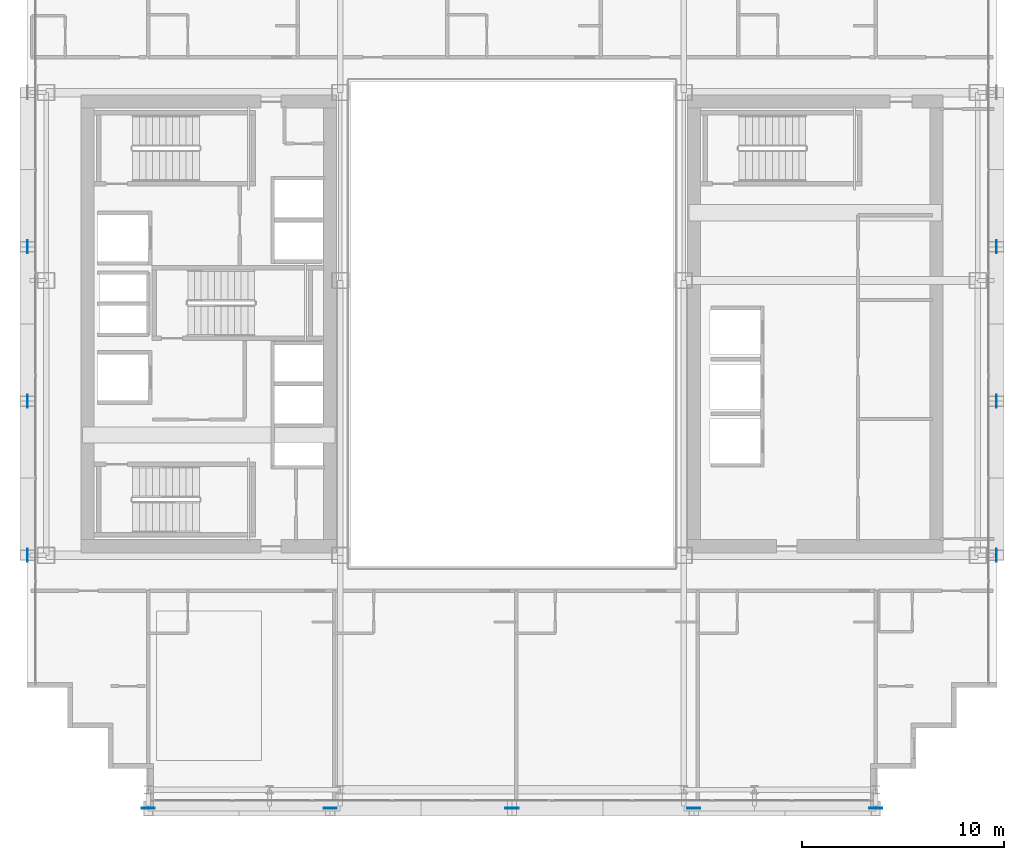
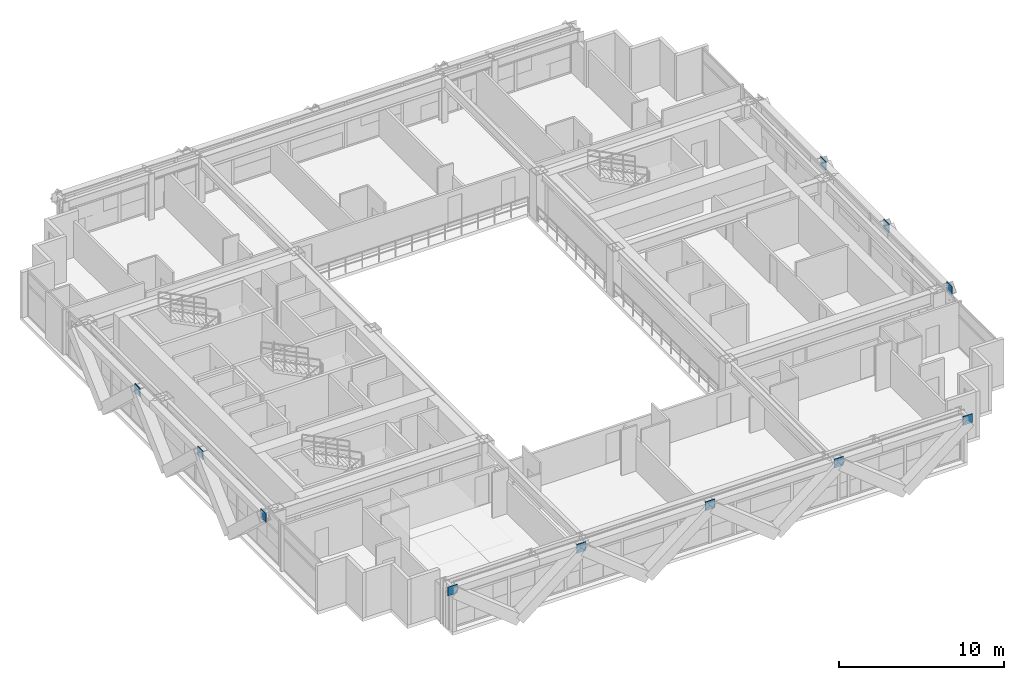
# One storey, part 25 of 35: 11 plates.
"""IFC4 building model written with IfcOpenShell, lengths in metres."""

from ifc_helpers import new_model, si_unit, direction, frame, origin, origin_2d, place, context, subcontext, project, spatial, rectangle, extrude, source, transform, mapped, material, layer, layer_set, type_object, element, save


model = new_model("IFC4")

# Units and contexts
model_context = context("Model", 3, precision=1e-05, world=origin(), true_north=direction((0.0, 1.0)))
body_context = subcontext(model_context, "Body", "Model", "MODEL_VIEW")
ifc_project = project(units=[si_unit("LENGTHUNIT", "METRE"), si_unit("AREAUNIT", "SQUARE_METRE"), si_unit("VOLUMEUNIT", "CUBIC_METRE"), si_unit("PLANEANGLEUNIT", "RADIAN"), si_unit("MASSUNIT", "GRAM", prefix="KILO")], contexts=[model_context])

# Site, building, storey
site_placement = place(None, origin())
site = spatial("IfcSite", under=ifc_project, at=site_placement, CompositionType="ELEMENT")
building_placement = place(site_placement, origin())
building = spatial("IfcBuilding", under=site, at=building_placement, Name="Ocotamira Hotel", CompositionType="ELEMENT")
storey_placement = place(building_placement, frame((0.0, 0.0, 115.199951171875)))
storey = spatial("IfcBuildingStorey", under=building, at=storey_placement, Name="L28", CompositionType="ELEMENT", Elevation=115.199951171875)

# Plates
ifc_material = material(Name="Pale-metal coated steel ASTM A572 Grade 50", Category="steel")
ifc_layer = layer(ifc_material, 0.0400390625)
ifc_layer_set = layer_set([ifc_layer], Name="Pale-metal coated steel ASTM A572 Grade 50")
plate_type = type_object("IfcPlateType", Name="PLT-GUSSET-40", PredefinedType="SHEET", material=ifc_layer_set)
shared_shape_1 = source(origin(), body_context, "Body", "SweptSolid", [
    extrude(rectangle(XDim=0.64990234375, YDim=0.0400390625, at=origin_2d()), origin(), (0.0, 0.0, 1.0), 0.64990234375),
])
for number, where, z_axis, x_axis, name in (
    (1, (14.0, 2.030029296875, 2.78515625), (0.0, 0.0, 1.0), (-1.0, 0.0, 0.0), "L28 Exoskeleton Diagrid S0.1 End Gusset B"),
    (2, (23.0, 2.030029296875, 2.78515625), (0.0, 0.0, 1.0), (1.0, 0.0, 0.0), "L28 Exoskeleton Diagrid S0.2 End Gusset B"),
    (3, (32.0, 2.030029296875, 2.78515625), (0.0, 0.0, 1.0), (1.0, 0.0, 0.0), "L28 Exoskeleton Diagrid S1.2 End Gusset B"),
    (4, (41.0, 2.030029296875, 2.78515625), (0.0, 0.0, 1.0), (1.0, 0.0, 0.0), "L28 Exoskeleton Diagrid S2.2 End Gusset B"),
    (5, (50.0, 2.030029296875, 2.78515625), (0.0, 0.0, 1.0), (1.0, 0.0, 0.0), "L28 Exoskeleton Diagrid S3.2 End Gusset B"),
):
    element("IfcPlate", number, at=place(storey_placement, frame(where, z_axis=z_axis, x_axis=x_axis)), inside=storey, type_object=plate_type, Name=name, PredefinedType="SHEET", context=body_context, shape_type="MappedRepresentation", body=[
        mapped(shared_shape_1, transform((0.0, 0.0, 0.0), scale=1.0)),
    ])
shared_shape_2 = source(origin(), body_context, "Body", "SweptSolid", [
    extrude(rectangle(XDim=0.0400390625, YDim=0.64990234375, at=origin_2d()), origin(), (0.0, 0.0, 1.0), 0.64990234375),
])
for number, where, z_axis, x_axis, name in (
    (6, (8.030029296875, 14.550048828125, 2.78515625), (0.0, 0.0, 1.0), (1.0, 0.0, 0.0), "L28 Exoskeleton Diagrid W0.1 End Gusset B"),
    (7, (8.030029296875, 22.183349609375, 2.78515625), (0.0, 0.0, 1.0), (1.0, 0.0, 0.0), "L28 Exoskeleton Diagrid W0.2 End Gusset B"),
    (8, (8.030029296875, 29.816650390625, 2.78515625), (0.0, 0.0, 1.0), (1.0, 0.0, 0.0), "L28 Exoskeleton Diagrid W1.2 End Gusset B"),
    (9, (55.969970703125, 14.550048828125, 2.78515625), (0.0, 0.0, 1.0), (1.0, 0.0, 0.0), "L28 Exoskeleton Diagrid E0.1 End Gusset B"),
    (10, (55.969970703125, 22.183349609375, 2.78515625), (0.0, 0.0, 1.0), (1.0, 0.0, 0.0), "L28 Exoskeleton Diagrid E0.2 End Gusset B"),
    (11, (55.969970703125, 29.816650390625, 2.78515625), (0.0, 0.0, 1.0), (1.0, 0.0, 0.0), "L28 Exoskeleton Diagrid E1.2 End Gusset B"),
):
    element("IfcPlate", number, at=place(storey_placement, frame(where, z_axis=z_axis, x_axis=x_axis)), inside=storey, type_object=plate_type, Name=name, PredefinedType="SHEET", context=body_context, shape_type="MappedRepresentation", body=[
        mapped(shared_shape_2, transform((0.0, 0.0, 0.0), scale=1.0)),
    ])

save(model, "model.ifc")
